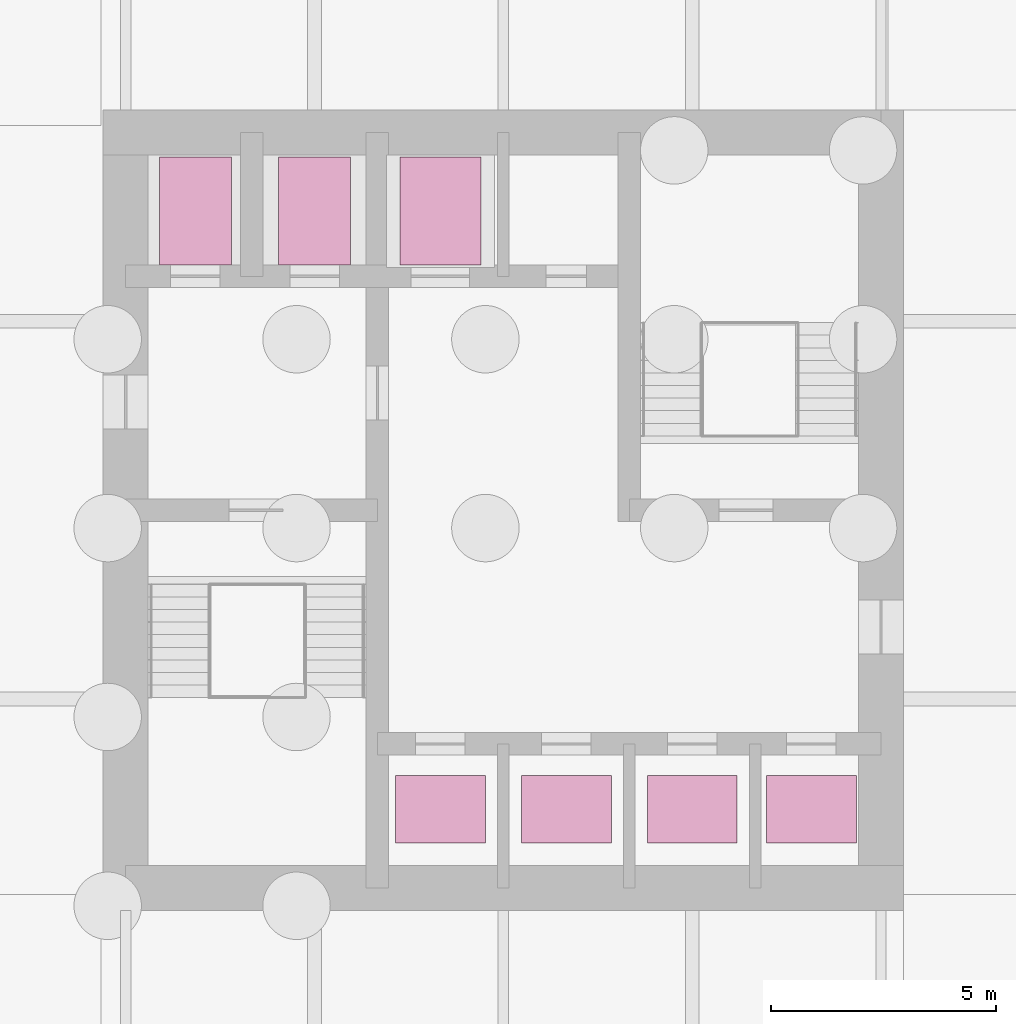
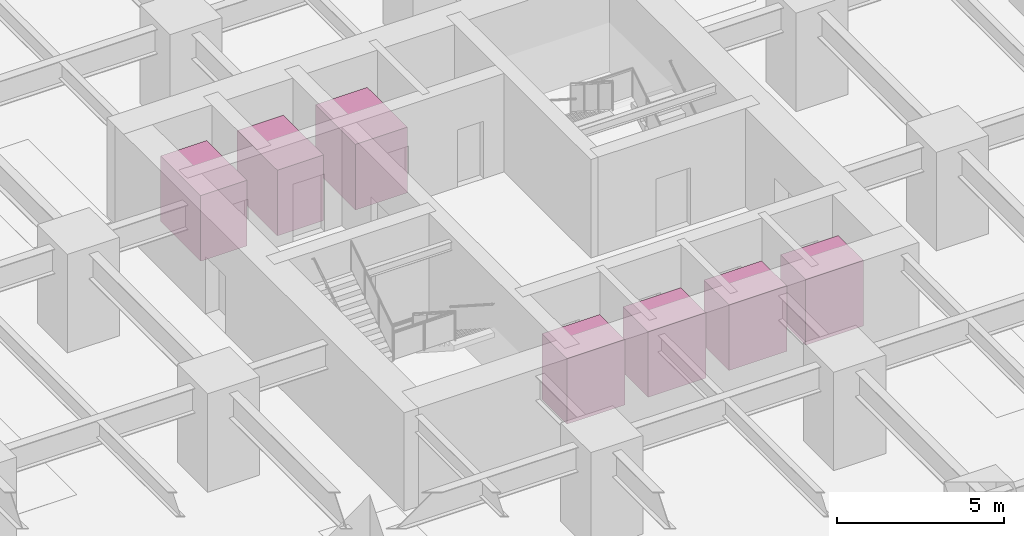
# One storey, part 11 of 11: 7 transport elements.
"""IFC4 building model written with IfcOpenShell, lengths in metres."""

from ifc_helpers import new_model, si_unit, direction, frame, origin, origin_2d, place, context, subcontext, project, spatial, rectangle, extrude, material, type_object, element, save


model = new_model("IFC4")

# Units and contexts
model_context = context("Model", 3, precision=1e-05, world=origin(), true_north=direction((0.0, 1.0)))
body_context = subcontext(model_context, "Body", "Model", "MODEL_VIEW")
ifc_project = project(units=[si_unit("LENGTHUNIT", "METRE"), si_unit("AREAUNIT", "SQUARE_METRE"), si_unit("VOLUMEUNIT", "CUBIC_METRE"), si_unit("PLANEANGLEUNIT", "RADIAN"), si_unit("MASSUNIT", "GRAM", prefix="KILO")], contexts=[model_context])

# Site, building, storey
site_placement = place(None, origin())
site = spatial("IfcSite", under=ifc_project, at=site_placement, CompositionType="ELEMENT")
building_placement = place(site_placement, origin())
building = spatial("IfcBuilding", under=site, at=building_placement, Name="Torre Alcanfor", CompositionType="ELEMENT")
storey_placement = place(building_placement, frame((0.0, 0.0, -7.199951171875)))
storey = spatial("IfcBuildingStorey", under=building, at=storey_placement, Name="B2", CompositionType="ELEMENT", Elevation=-7.199951171875)

# Transport elements
ifc_material_1 = material(Name="Stainless steel sheet ASTM A240 Type 304", Category="steel")
transport_element_type_1 = type_object("IfcTransportElementType", Name="Firefighting lift car 1600x2400", PredefinedType="ELEVATOR", material=ifc_material_1)
for number, where, z_axis, x_axis, name in (
    (1, (22.550048828125, 36.050048828125, 0.0), (0.0, 0.0, 1.0), (1.0, 0.0, 0.0), "Lift FL1"),
    (2, (25.199951171875, 36.050048828125, 0.0), (0.0, 0.0, 1.0), (1.0, 0.0, 0.0), "Lift FL2"),
):
    element("IfcTransportElement", number, at=place(storey_placement, frame(where, z_axis=z_axis, x_axis=x_axis)), inside=storey, type_object=transport_element_type_1, Name=name, PredefinedType="ELEVATOR", context=body_context, shape_type="SweptSolid", body=[
        extrude(rectangle(XDim=1.60009765625, YDim=2.39990234375, at=origin_2d()), origin(), (0.0, 0.0, 1.0), 2.39990234375),
    ])
ifc_material_2 = material(Name="Stainless steel sheet ASTM A240 Type 304", Category="steel")
transport_element_type_2 = type_object("IfcTransportElementType", Name="Passenger lift car 2000x1500", PredefinedType="ELEVATOR", material=ifc_material_2)
for number, where, z_axis, x_axis, name in (
    (3, (28.0, 22.75, 0.0), (0.0, 0.0, 1.0), (1.0, 0.0, 0.0), "Lift PA1"),
    (4, (30.800048828125, 22.75, 0.0), (0.0, 0.0, 1.0), (1.0, 0.0, 0.0), "Lift PA2"),
    (5, (33.60009765625, 22.75, 0.0), (0.0, 0.0, 1.0), (1.0, 0.0, 0.0), "Lift PA3"),
    (6, (36.25, 22.75, 0.0), (0.0, 0.0, 1.0), (1.0, 0.0, 0.0), "Lift PA4"),
):
    element("IfcTransportElement", number, at=place(storey_placement, frame(where, z_axis=z_axis, x_axis=x_axis)), inside=storey, type_object=transport_element_type_2, Name=name, PredefinedType="ELEVATOR", context=body_context, shape_type="SweptSolid", body=[
        extrude(rectangle(XDim=2.0, YDim=1.5, at=origin_2d()), origin(), (0.0, 0.0, 1.0), 2.39990234375),
    ])
ifc_material_3 = material(Name="Stainless steel sheet ASTM A240 Type 304", Category="steel")
transport_element_type_3 = type_object("IfcTransportElementType", Name="Service lift car 1800x2400", PredefinedType="ELEVATOR", material=ifc_material_3)
transport_element_placement = place(storey_placement, frame((28.0, 36.050048828125, 0.0), z_axis=(0.0, 0.0, 1.0), x_axis=(1.0, 0.0, 0.0)))
element("IfcTransportElement", 7, at=transport_element_placement, inside=storey, type_object=transport_element_type_3, Name="Lift SL1", PredefinedType="ELEVATOR", context=body_context, shape_type="SweptSolid", body=[
    extrude(rectangle(XDim=1.800048828125, YDim=2.39990234375, at=origin_2d()), origin(), (0.0, 0.0, 1.0), 2.39990234375),
])

save(model, "model.ifc")
